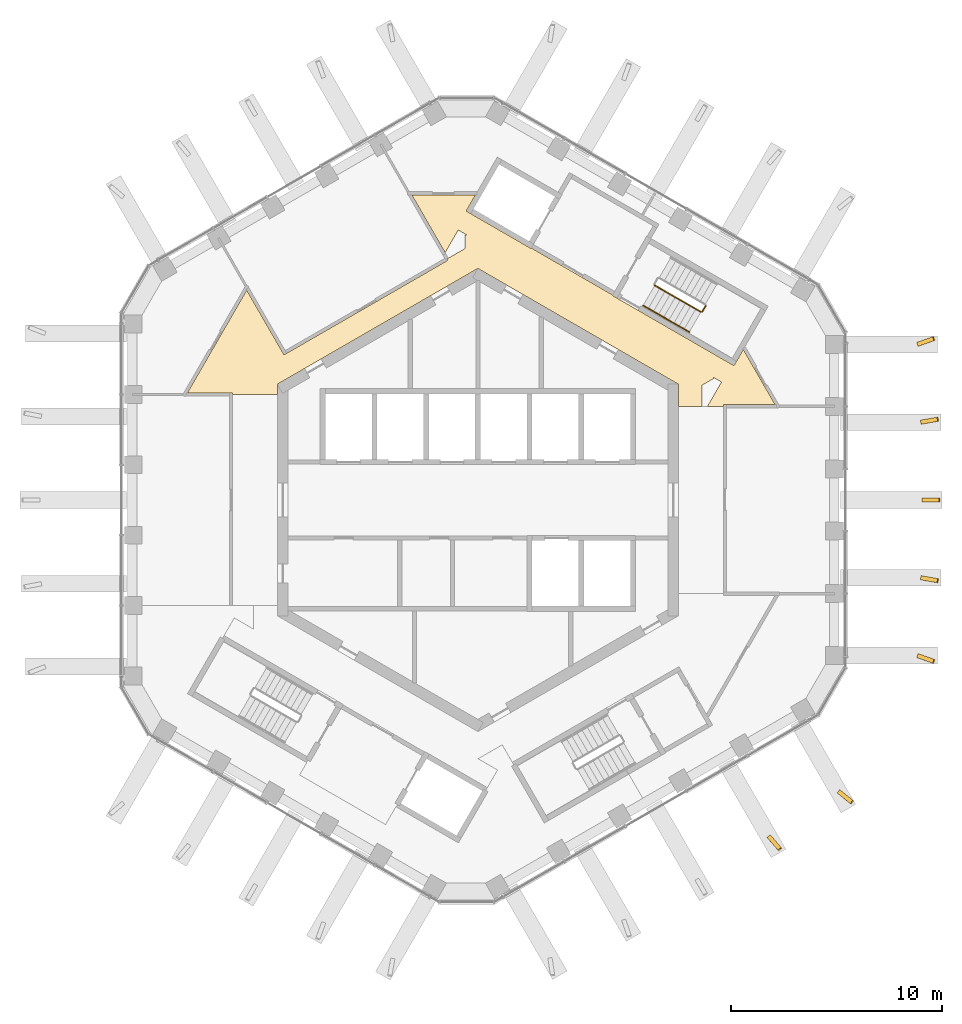
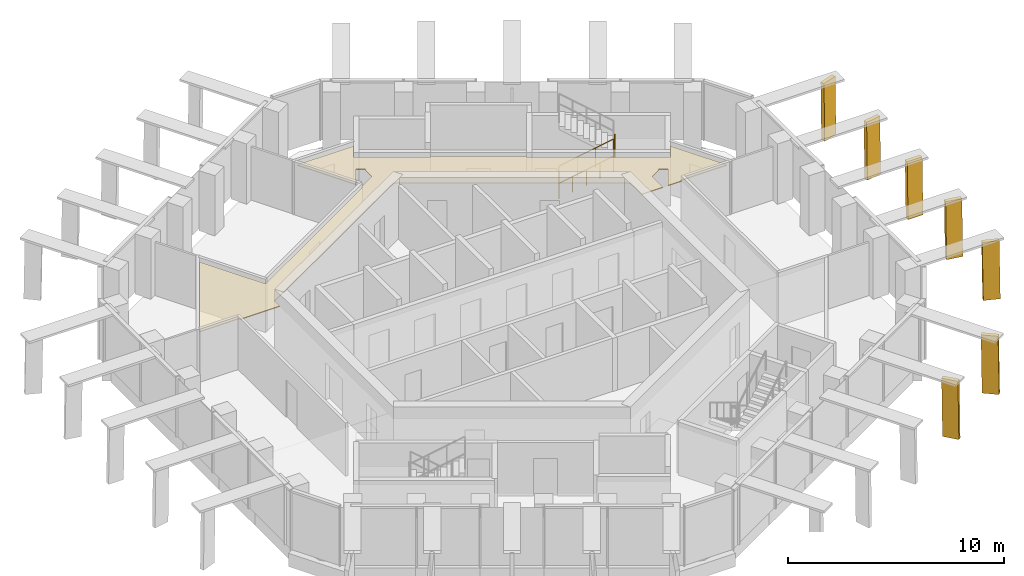
# One storey, part 16 of 17: 7 shading devices, 4 railings, 1 covering.
"""IFC4 building model written with IfcOpenShell, lengths in metres."""

import ifcopenshell
import ifcopenshell.guid

model = None  # the IFC model being written
_history = None  # IfcOwnerHistory: only IFC2X3 demands one
_inside = {}  # id of a spatial element -> (the spatial element, [elements in it])
_under = {}  # id of a project, library or spatial element -> (it, [spatial elements below it])
_declared = {}  # id of a project -> (the project, [libraries it declares])
_typed = {}  # id of a type object -> (the type object, [elements of that type])
_made_of = {}  # id of a material, layer set ... -> (it, [elements and type objects made of it])


def new_model(schema):
    """Start an empty IFC model of exactly this schema.

    Asked for "IFC4X3", IfcOpenShell would pick the latest addendum, in which some entities
    have other attributes; the version numbers below select the first issue.
    IFC2X3 requires an IfcOwnerHistory on every rooted entity: one is made here for all.
    """
    global model, _history
    if schema == "IFC4X3":
        model = ifcopenshell.file(schema_version=(4, 3, 0, 0))
    else:
        model = ifcopenshell.file(schema=schema)
    _inside.clear()
    _under.clear()
    _declared.clear()
    _typed.clear()
    _made_of.clear()
    _history = None
    if model.schema == "IFC2X3":
        org = make("IfcOrganization", Name="unknown")
        user = make(
            "IfcPersonAndOrganization",
            ThePerson=make("IfcPerson", FamilyName="unknown"),
            TheOrganization=org,
        )
        app = make(
            "IfcApplication",
            ApplicationDeveloper=org,
            Version="unknown",
            ApplicationFullName="unknown",
            ApplicationIdentifier="unknown",
        )
        _history = make(
            "IfcOwnerHistory",
            OwningUser=user,
            OwningApplication=app,
            ChangeAction="ADDED",
            CreationDate=0,
        )
    return model


def make(cls, **values):
    """One entity of the class cls with the attributes given. An attribute that is None is left unset."""
    return model.create_entity(
        cls, **{name: value for name, value in values.items() if value is not None}
    )


def rooted(cls, **values):
    """An entity with a GlobalId (a new one), such as an element, a storey or a relation."""
    return make(cls, GlobalId=ifcopenshell.guid.new(), OwnerHistory=_history, **values)


def si_unit(unit_type, name, prefix=None):
    """IfcSIUnit, for example si_unit("LENGTHUNIT", "METRE", prefix="MILLI")."""
    return make("IfcSIUnit", UnitType=unit_type, Prefix=prefix, Name=name)


def assignment(units):
    """IfcUnitAssignment: the units of a project."""
    return None if units is None else make("IfcUnitAssignment", Units=units)


def point(xyz):
    """IfcCartesianPoint."""
    return None if xyz is None else make("IfcCartesianPoint", Coordinates=xyz)


def direction(xyz):
    """IfcDirection."""
    return None if xyz is None else make("IfcDirection", DirectionRatios=xyz)


def frame(location, z_axis=None, x_axis=None):
    """IfcAxis2Placement3D, a coordinate frame: its origin and axes. An axis left out is left unset."""
    return make(
        "IfcAxis2Placement3D",
        Location=point(location),
        Axis=direction(z_axis),
        RefDirection=direction(x_axis),
    )


def frame_2d(location, x_axis=None):
    """IfcAxis2Placement2D, a coordinate frame in the plane: its origin and x axis."""
    return make(
        "IfcAxis2Placement2D", Location=point(location), RefDirection=direction(x_axis)
    )


def origin():
    """The frame at (0, 0, 0) with its axes left unset."""
    return frame((0.0, 0.0, 0.0))


def origin_2d():
    """The frame at (0, 0) in the plane with its x axis left unset."""
    return frame_2d((0.0, 0.0))


def place(relative_to, where):
    """IfcLocalPlacement: puts the frame where relative to a parent placement (None: the world)."""
    return make(
        "IfcLocalPlacement", PlacementRelTo=relative_to, RelativePlacement=where
    )


def context(
    kind, dimensions, precision=None, world=None, true_north=None, identifier=None
):
    """IfcGeometricRepresentationContext, for example the 3D "Model" context."""
    return make(
        "IfcGeometricRepresentationContext",
        ContextIdentifier=identifier,
        ContextType=kind,
        CoordinateSpaceDimension=dimensions,
        Precision=precision,
        WorldCoordinateSystem=world,
        TrueNorth=true_north,
    )


def subcontext(parent, identifier, kind, view, scale=None):
    """IfcGeometricRepresentationSubContext, for example "Body" below "Model"."""
    return make(
        "IfcGeometricRepresentationSubContext",
        ContextIdentifier=identifier,
        ContextType=kind,
        ParentContext=parent,
        TargetScale=scale,
        TargetView=view,
    )


def project(units=None, contexts=None):
    """IfcProject with its units and contexts."""
    return rooted(
        "IfcProject",
        Name="project",
        RepresentationContexts=contexts,
        UnitsInContext=assignment(units),
    )


def spatial(cls, under=None, at=None, **own):
    """A site, building, storey or space (cls), placed at a placement, below another one or the project."""
    s = rooted(cls, ObjectPlacement=at, **own)
    if under is not None:
        _under.setdefault(under.id(), (under, []))[1].append(s)
    return s


def polyline(points):
    """IfcPolyline through the points."""
    return make("IfcPolyline", Points=[point(p) for p in points])


def profile(cls, at=None, kind="AREA", **sizes):
    """A parametric profile (cls). Its sizes go by their IFC names, for example OverallWidth=200.0."""
    return make(cls, ProfileType=kind, Position=at, **sizes)


def circle(**sizes):
    """IfcCircleProfileDef."""
    return profile("IfcCircleProfileDef", **sizes)


def outline(outer, holes=None, kind="AREA"):
    """IfcArbitraryClosedProfileDef: a profile drawn as a closed curve; with holes, ...WithVoids."""
    if holes is None:
        return make("IfcArbitraryClosedProfileDef", ProfileType=kind, OuterCurve=outer)
    return make(
        "IfcArbitraryProfileDefWithVoids",
        ProfileType=kind,
        OuterCurve=outer,
        InnerCurves=holes,
    )


def extrude(swept, where, along, depth):
    """IfcExtrudedAreaSolid: the profile swept, set in the frame where, extruded along a direction by depth."""
    return make(
        "IfcExtrudedAreaSolid",
        SweptArea=swept,
        Position=where,
        ExtrudedDirection=direction(along),
        Depth=depth,
    )


def shape(context_of_items, identifier, shape_type, items):
    """IfcShapeRepresentation: the items that make up one representation, for example the "Body"."""
    return make(
        "IfcShapeRepresentation",
        ContextOfItems=context_of_items,
        RepresentationIdentifier=identifier,
        RepresentationType=shape_type,
        Items=items,
    )


def material(Name=None, Category=None):
    """IfcMaterial."""
    return make("IfcMaterial", Name=Name, Category=Category)


def layer(
    of_material, thickness, ventilated=None, Name=None, Category=None, Priority=None
):
    """IfcMaterialLayer: one layer of a wall or slab, of a material (None: an air gap)."""
    return make(
        "IfcMaterialLayer",
        Material=of_material,
        LayerThickness=thickness,
        IsVentilated=ventilated,
        Name=Name,
        Category=Category,
        Priority=Priority,
    )


def layer_set(layers, Name=None):
    """IfcMaterialLayerSet."""
    return make("IfcMaterialLayerSet", MaterialLayers=layers, LayerSetName=Name)


def made_of(thing, what):
    """Note that an element or type object is made of a material, layer set ...; save() writes the relation."""
    if what is not None:
        _made_of.setdefault(what.id(), (what, []))[1].append(thing)
    return thing


def type_object(cls, material=None, **own):
    """A type object (cls), such as IfcWallType, which elements share."""
    return made_of(rooted(cls, **own), material)


def element(
    cls,
    number,
    at=None,
    inside=None,
    cuts=None,
    type_object=None,
    material=None,
    context=None,
    identifier="Body",
    shape_type=None,
    held_by="IfcProductDefinitionShape",
    body=None,
    shapes=None,
    **own,
):
    """One element of the class cls, such as IfcWall. Its Tag is "e" and its number.

    at: its placement. inside: the storey or other place that contains it. cuts: it is an
    opening in that element (IfcRelVoidsElement). A single representation is given by context,
    identifier, shape_type and body (its items); several are given by shapes. held_by: the class
    of the entity that holds the representations. save() writes the other relations.
    """
    e = rooted(cls, Tag="e%d" % number, ObjectPlacement=at, **own)
    if body is not None:
        shapes = [shape(context, identifier, shape_type, body)]
    if shapes is not None:
        e.Representation = make(held_by, Representations=shapes)
    if inside is not None:
        _inside.setdefault(inside.id(), (inside, []))[1].append(e)
    if cuts is not None:
        rooted(
            "IfcRelVoidsElement", RelatingBuildingElement=cuts, RelatedOpeningElement=e
        )
    if type_object is not None:
        _typed.setdefault(type_object.id(), (type_object, []))[1].append(e)
    return made_of(e, material)


def aggregate(whole, parts):
    """IfcRelAggregates: a whole, such as a stair, and the parts it consists of."""
    return rooted("IfcRelAggregates", RelatingObject=whole, RelatedObjects=parts)


def save(model, path):
    """Write the relations noted so far, then the file.

    IfcRelAggregates (storeys below a building ...), IfcRelContainedInSpatialStructure (elements
    in a storey), IfcRelDefinesByType, IfcRelAssociatesMaterial and IfcRelDeclares: one each for
    every whole, place, type object, material and project.
    """
    for whole, parts in _under.values():
        aggregate(whole, parts)
    for where, things in _inside.values():
        rooted(
            "IfcRelContainedInSpatialStructure",
            RelatedElements=things,
            RelatingStructure=where,
        )
    for kind, things in _typed.values():
        rooted("IfcRelDefinesByType", RelatedObjects=things, RelatingType=kind)
    for what, things in _made_of.values():
        rooted("IfcRelAssociatesMaterial", RelatedObjects=things, RelatingMaterial=what)
    for by, libraries in _declared.values():
        rooted("IfcRelDeclares", RelatingContext=by, RelatedDefinitions=libraries)
    model.write(path)


model = new_model("IFC4")

# Units and contexts
model_context = context("Model", 3, precision=1e-05, world=origin(), true_north=direction((0.0, 1.0)))
body_context = subcontext(model_context, "Body", "Model", "MODEL_VIEW")
ifc_project = project(units=[si_unit("LENGTHUNIT", "METRE"), si_unit("AREAUNIT", "SQUARE_METRE"), si_unit("VOLUMEUNIT", "CUBIC_METRE"), si_unit("PLANEANGLEUNIT", "RADIAN"), si_unit("MASSUNIT", "GRAM", prefix="KILO")], contexts=[model_context])

# Site, building, storey
site_placement = place(None, origin())
site = spatial("IfcSite", under=ifc_project, at=site_placement, CompositionType="ELEMENT")
building_placement = place(site_placement, origin())
building = spatial("IfcBuilding", under=site, at=building_placement, Name="Ayvan Gate Tower", CompositionType="ELEMENT")
storey_placement = place(building_placement, frame((0.0, 0.0, 249.5)))
storey = spatial("IfcBuildingStorey", under=building, at=storey_placement, Name="L67", CompositionType="ELEMENT", Elevation=249.5)

# Covering
ifc_material_1 = material(Name="Plasterboard suspended ceiling")
ifc_layer_1 = layer(ifc_material_1, 0.050048828125)
ifc_layer_set_1 = layer_set([ifc_layer_1], Name="Plasterboard suspended ceiling")
covering_type = type_object("IfcCoveringType", Name="CT-SUSP-50", PredefinedType="CEILING", material=ifc_layer_set_1)
covering_placement = place(storey_placement, frame((0.0, 0.0, 2.699951171875)))
element("IfcCovering", 1, at=covering_placement, inside=storey, type_object=covering_type, Name="Ceiling Gallery L67", PredefinedType="CEILING", context=body_context, shape_type="SweptSolid", body=[
    extrude(outline(polyline([(-1.426513671875, 11.3525390625), (-1.464111328125, 11.41748046875), (-0.60009765625, 11.91650390625), (-0.60009765625, 12.56298828125), (-0.53955078125, 12.56298828125), (-0.930419921875, 12.78857421875), (-1.5498046875, 11.7158203125), (-3.1298828125, 14.452392578125), (-0.114013671875, 14.452392578125), (-0.55615234375, 13.686767578125), (-0.339599609375, 13.561767578125), (2.518310546875, 11.91162109375), (2.53076171875, 11.933349609375), (6.384521484375, 9.70849609375), (6.3720703125, 9.686767578125), (6.588623046875, 9.561767578125), (12.131103515625, 6.36181640625), (12.24609375, 6.56103515625), (12.5732421875, 7.12744140625), (14.081298828125, 4.515625), (11.625, 4.515625), (11.625, 4.440673828125), (10.877685546875, 4.440673828125), (11.540283203125, 5.58837890625), (11.149658203125, 5.814208984375), (11.1796875, 5.76171875), (10.6201171875, 5.438720703125), (10.6201171875, 4.440673828125), (9.5, 4.440673828125), (9.5, 5.48486328125), (4.66748046875, 8.27490234375), (0.0, 10.9697265625), (-4.667724609375, 8.27490234375), (-9.5, 5.48486328125), (-9.5, 4.995849609375), (-11.625, 4.995849609375), (-11.625, 5.07080078125), (-13.7607421875, 5.07080078125), (-10.951416015625, 9.936767578125), (-9.183349609375, 6.87451171875), (-9.05322265625, 6.949462890625), (-1.426513671875, 11.3525390625)])), origin(), (0.0, 0.0, 1.0), 0.050048828125),
])

# Shading devices
ifc_material_2 = material(Name="Bronze anodised aluminium", Category="aluminium")
ifc_layer_2 = layer(ifc_material_2, 0.199951171875)
ifc_layer_set_2 = layer_set([ifc_layer_2], Name="Bronze anodised aluminium")
shading_device_type = type_object("IfcShadingDeviceType", Name="Crown frame rib 800 x 200", PredefinedType="USERDEFINED", material=ifc_layer_set_2)
shading_device_1_placement = place(storey_placement, frame((13.723876953125, -16.020263671875, 0.0), z_axis=(-0.756297806915, -0.654227354458, 0.000442645244), x_axis=(0.654227418536, -0.75629788102, -4.4178e-08)))
element("IfcShadingDevice", 2, at=shading_device_1_placement, inside=storey, type_object=shading_device_type, Name="CROWN FRAME rib FR05.6.4", ObjectType="FIN", PredefinedType="USERDEFINED", context=body_context, shape_type="SweptSolid", body=[
    extrude(outline(polyline([(0.0, 0.0), (0.8001772540015581, 0.0), (0.7543718537206058, 3.2800296515378324), (-0.04562075724359406, 3.280029580845146), (0.0, 0.0)])), origin(), (0.0, 0.0, -1.0), 0.199951171875),
])
shading_device_2_placement = place(storey_placement, frame((17.052978515625, -13.907958984375, 0.0), z_axis=(-0.628464883246, -0.777837818594, 0.000467429769), x_axis=(0.777837903586, -0.628464951883, 5.548e-08)))
element("IfcShadingDevice", 3, at=shading_device_2_placement, inside=storey, type_object=shading_device_type, Name="CROWN FRAME rib FR05.6.5", ObjectType="FIN", PredefinedType="USERDEFINED", context=body_context, shape_type="SweptSolid", body=[
    extrude(outline(polyline([(0.0, 0.0), (0.7999800176189472, 0.0), (0.7504820524267701, 3.2800296135660916), (-0.049651399018320434, 3.2800297023403737), (0.0, 0.0)])), origin(), (0.0, 0.0, -1.0), 0.199951171875),
])
shading_device_3_placement = place(storey_placement, frame((20.832763671875, -7.4814453125, 0.0), z_axis=(-0.333753879211, -0.942660133464, 0.000469989734), x_axis=(0.94266023759, -0.333753916032, 9.1541e-08)))
element("IfcShadingDevice", 4, at=shading_device_3_placement, inside=storey, type_object=shading_device_type, Name="CROWN FRAME rib FR05.1.1", ObjectType="FIN", PredefinedType="USERDEFINED", context=body_context, shape_type="SweptSolid", body=[
    extrude(outline(polyline([(0.0, 0.0), (0.7999683847994596, 0.0), (0.7497517525860742, 3.2800295905052113), (-0.05006797344347371, 3.2800297369519416), (0.0, 0.0)])), origin(), (0.0, 0.0, -1.0), 0.199951171875),
])
shading_device_4_placement = place(storey_placement, frame((21.00634765625, -3.788818359375, 0.0), z_axis=(-0.17275790141, -0.984964218814, 0.000441765468), x_axis=(0.984964314925, -0.172757918267, 0.0)))
element("IfcShadingDevice", 5, at=shading_device_4_placement, inside=storey, type_object=shading_device_type, Name="CROWN FRAME rib FR05.1.2", ObjectType="FIN", PredefinedType="USERDEFINED", context=body_context, shape_type="SweptSolid", body=[
    extrude(outline(polyline([(0.0, 0.0), (0.7998683657233193, -6.776263578034403e-21), (0.7530151308555584, 3.280029616934941), (-0.04685323486776102, 3.280029616934941), (0.0, 0.0)])), origin(), (0.0, 0.0, -1.0), 0.199951171875),
])
shading_device_5_placement = place(storey_placement, frame((21.07958984375, -0.099853515625, 0.0), z_axis=(0.0, -0.999999900277, 0.000446594671), x_axis=(1.0, 0.0, 0.0)))
element("IfcShadingDevice", 6, at=shading_device_5_placement, inside=storey, type_object=shading_device_type, Name="CROWN FRAME rib FR05.1.3", ObjectType="FIN", PredefinedType="USERDEFINED", context=body_context, shape_type="SweptSolid", body=[
    extrude(outline(polyline([(0.0, 0.0), (0.800048828125, 0.0), (0.75439453125, 3.280029623970722), (-0.045654296875, 3.280029623970722), (0.0, 0.0)])), origin(), (0.0, 0.0, -1.0), 0.199951171875),
])
shading_device_6_placement = place(storey_placement, frame((21.040771484375, 3.592041015625, 0.0), z_axis=(0.172705977754, -0.984973314825, 0.000462959157), x_axis=(0.98497342038, 0.172705996262, 0.0)))
element("IfcShadingDevice", 7, at=shading_device_6_placement, inside=storey, type_object=shading_device_type, Name="CROWN FRAME rib FR05.1.4", ObjectType="FIN", PredefinedType="USERDEFINED", context=body_context, shape_type="SweptSolid", body=[
    extrude(outline(polyline([(0.0, 0.0), (0.8001088366384407, 0.0), (0.7532807087645934, 3.280029648381333), (-0.046828127873847304, 3.280029648381333), (0.0, 0.0)])), origin(), (0.0, 0.0, -1.0), 0.199951171875),
])
shading_device_7_placement = place(storey_placement, frame((20.899658203125, 7.29296875, 0.0), z_axis=(0.333841459548, -0.942629130296, 0.00045011469), x_axis=(0.942629225786, 0.333841493367, 0.0)))
element("IfcShadingDevice", 8, at=shading_device_7_placement, inside=storey, type_object=shading_device_type, Name="CROWN FRAME rib FR05.1.5", ObjectType="FIN", PredefinedType="USERDEFINED", context=body_context, shape_type="SweptSolid", body=[
    extrude(outline(polyline([(0.0, 0.0), (0.8000498711419429, -1.3552527156068805e-20), (0.7498088207668849, 3.280029629147322), (-0.05024105037505807, 3.280029629147322), (0.0, 0.0)])), origin(), (0.0, 0.0, -1.0), 0.199951171875),
])

# Railings
ifc_material_3 = material(Name="Stainless steel balustrade", Category="steel")
railing_type_1 = type_object("IfcRailingType", Name="RL-GUARD-1100", PredefinedType="GUARDRAIL", material=ifc_material_3)
railing_1_placement = place(storey_placement, frame((8.381103515625, 10.16650390625, 0.169921875)))
element("IfcRailing", 9, at=railing_1_placement, inside=storey, type_object=railing_type_1, Name="L67 STS1 stair guard 1", PredefinedType="GUARDRAIL", context=body_context, shape_type="SweptSolid", body=[
    extrude(circle(Radius=0.02392578125, at=origin_2d()), frame((0.0, 0.0, 1.076171875), z_axis=(0.740261155115, -0.427395438142, 0.518986090067), x_axis=(0.500004791531, 0.866022637375, 0.0)), (0.0, 0.0, 1.0), 2.947998046875),
    extrude(circle(Radius=0.02099609375, at=origin_2d()), origin(), (0.0, 0.0, 1.0), 1.052001953125),
    extrude(circle(Radius=0.02099609375, at=origin_2d()), frame((0.7275390625, -0.419921875, 0.510009765625)), (0.0, 0.0, 1.0), 1.052001953125),
    extrude(circle(Radius=0.02099609375, at=origin_2d()), frame((1.454833984375, -0.840087890625, 1.02001953125)), (0.0, 0.0, 1.0), 1.052001953125),
    extrude(circle(Radius=0.02099609375, at=origin_2d()), frame((2.182373046875, -1.260009765625, 1.530029296875)), (0.0, 0.0, 1.0), 1.052001953125),
])
railing_2_placement = place(storey_placement, frame((10.6318359375, 8.9248046875, 1.699951171875)))
element("IfcRailing", 10, at=railing_2_placement, inside=storey, type_object=railing_type_1, Name="L67 STS1 stair guard 2", PredefinedType="GUARDRAIL", context=body_context, shape_type="SweptSolid", body=[
    extrude(circle(Radius=0.02392578125, at=origin_2d()), frame((0.0, 0.0, 1.076171875), z_axis=(0.499949632511, 0.866054481515, 0.0), x_axis=(-0.866054481515, 0.499949632511, 0.0)), (0.0, 0.0, 1.0), 0.31005859375),
    extrude(circle(Radius=0.02099609375, at=origin_2d()), origin(), (0.0, 0.0, 1.0), 1.052001953125),
    extrude(circle(Radius=0.02099609375, at=origin_2d()), frame((0.155029296875, 0.2685546875, 0.0)), (0.0, 0.0, 1.0), 1.052001953125),
])
railing_type_2 = type_object("IfcRailingType", Name="RL-HANDRAIL-900", PredefinedType="HANDRAIL", material=ifc_material_3)
railing_3_placement = place(storey_placement, frame((7.8310546875, 9.2138671875, 0.169921875)))
element("IfcRailing", 11, at=railing_3_placement, inside=storey, type_object=railing_type_2, Name="L67 STS1 stair handrail 1", PredefinedType="HANDRAIL", context=body_context, shape_type="SweptSolid", body=[
    extrude(circle(Radius=0.02392578125, at=origin_2d()), frame((0.0, 0.0, 0.8759765625), z_axis=(0.740292964666, -0.42728318766, 0.519033143459), x_axis=(0.499890179513, 0.866088799389, 0.0)), (0.0, 0.0, 1.0), 1.47412109375),
    extrude(circle(Radius=0.02099609375, at=origin_2d()), origin(), (0.0, 0.0, 1.0), 0.851806640625),
    extrude(circle(Radius=0.02099609375, at=origin_2d()), frame((0.545654296875, -0.31494140625, 0.382568359375)), (0.0, 0.0, 1.0), 0.851806640625),
    extrude(circle(Radius=0.02099609375, at=origin_2d()), frame((1.09130859375, -0.6298828125, 0.76513671875)), (0.0, 0.0, 1.0), 0.851806640625),
])
railing_4_placement = place(storey_placement, frame((8.92236328125, 8.583984375, 0.93505859375)))
element("IfcRailing", 12, at=railing_4_placement, inside=storey, type_object=railing_type_2, Name="L67 STS1 stair handrail 2", PredefinedType="HANDRAIL", context=body_context, shape_type="SweptSolid", body=[
    extrude(circle(Radius=0.02392578125, at=origin_2d()), frame((0.0, 0.0, 0.8759765625), z_axis=(0.740229329464, -0.427507697325, 0.518939021976), x_axis=(0.50011940292, 0.865956455501, 0.0)), (0.0, 0.0, 1.0), 1.473876953125),
    extrude(circle(Radius=0.02099609375, at=origin_2d()), origin(), (0.0, 0.0, 1.0), 0.851806640625),
    extrude(circle(Radius=0.02099609375, at=origin_2d()), frame((0.54541015625, -0.31494140625, 0.38232421875)), (0.0, 0.0, 1.0), 0.851806640625),
    extrude(circle(Radius=0.02099609375, at=origin_2d()), frame((1.091064453125, -0.630126953125, 0.764892578125)), (0.0, 0.0, 1.0), 0.851806640625),
])

save(model, "model.ifc")
